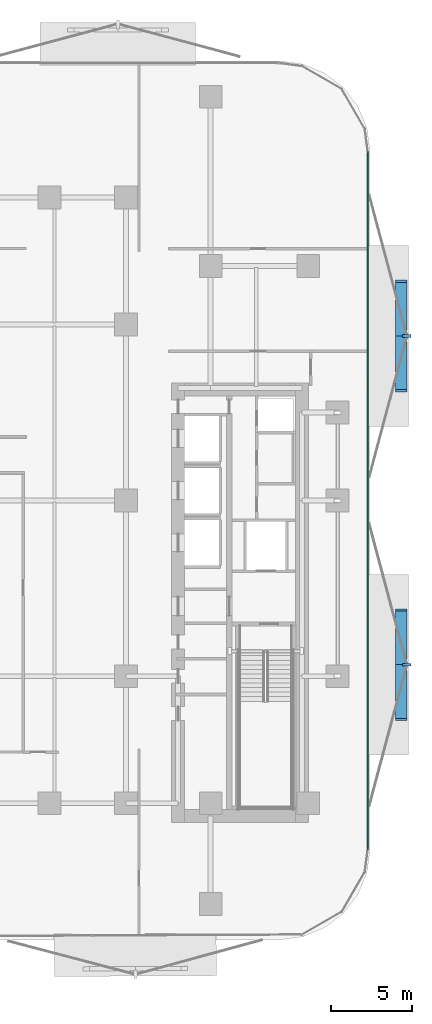
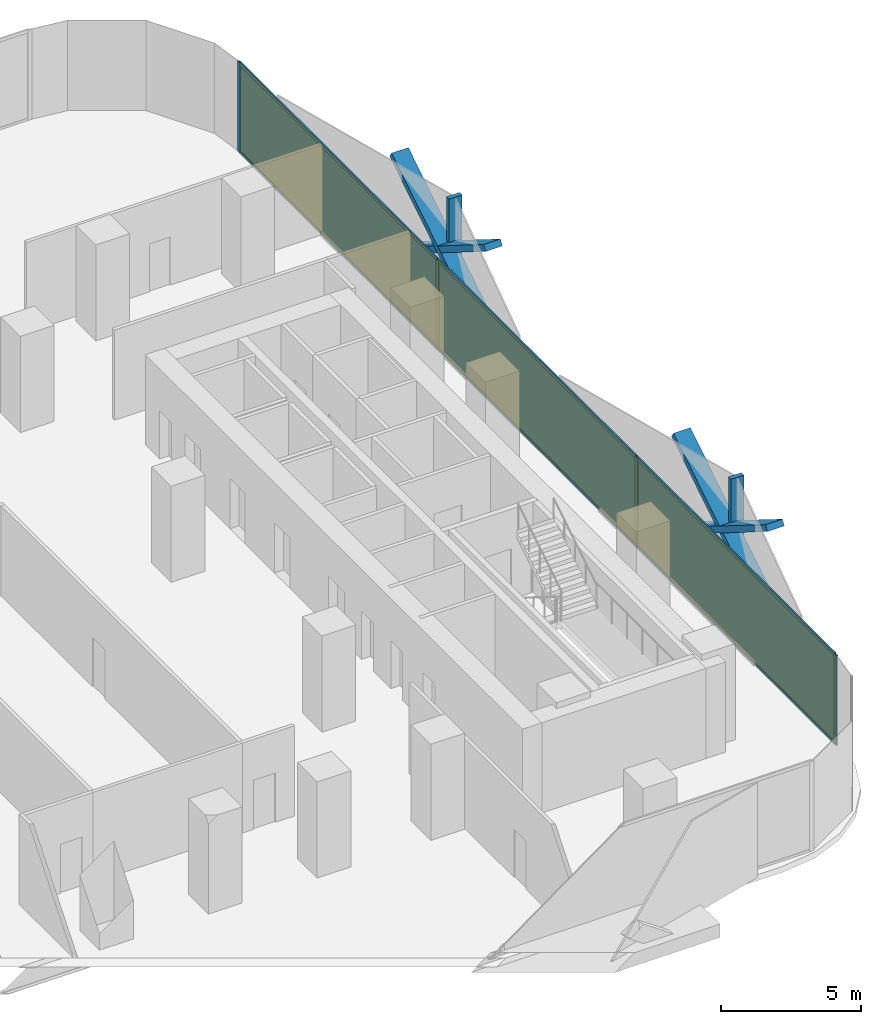
# One storey, part 10 of 16: 16 members, 3 plates, 1 curtain wall.
"""IFC4 building model written with IfcOpenShell, lengths in metres."""

from ifc_helpers import new_model, si_unit, direction, frame, frame_2d, origin, origin_2d, place, context, subcontext, project, spatial, rectangle, extrude, material, layer, layer_set, material_profile, profile_set, type_object, element, aggregate, save


model = new_model("IFC4")

# Units and contexts
model_context = context("Model", 3, precision=1e-05, world=origin(), true_north=direction((0.0, 1.0)))
body_context = subcontext(model_context, "Body", "Model", "MODEL_VIEW")
ifc_project = project(units=[si_unit("LENGTHUNIT", "METRE"), si_unit("AREAUNIT", "SQUARE_METRE"), si_unit("VOLUMEUNIT", "CUBIC_METRE"), si_unit("PLANEANGLEUNIT", "RADIAN"), si_unit("MASSUNIT", "GRAM", prefix="KILO")], contexts=[model_context])

# Member
ifc_material_1 = material(Name="Anodised Bronze Aluminium 6063-T6", Category="aluminium")
ifc_material_profile_1 = material_profile(ifc_material_1, rectangle(XDim=0.260009765625, YDim=0.699951171875, at=origin_2d()))
ifc_profile_set_1 = profile_set([ifc_material_profile_1], Name="Anodised Bronze Aluminium 6063-T6")
member_type_1 = type_object("IfcMemberType", Name="Bronze Diamond Solar-Screen Lattice Rib BDL-700", PredefinedType="MULLION", material=ifc_profile_set_1)
site_placement = place(None, origin())
building_placement = place(site_placement, origin())
storey_placement = place(building_placement, frame((0.0, 0.0, 42.800048828125)))
member_1_placement = place(storey_placement, frame((26.10009765625, 13.46044921875, -0.130126953125), z_axis=(0.0, -0.84834908091, 0.529437283273), x_axis=(0.0, -0.529437283273, -0.84834908091)))
member_1 = element("IfcMember", 1, at=member_1_placement, type_object=member_type_1, Name="L10 Bronze Diamond Solar Screen Lattice Rib 39A", PredefinedType="MULLION", context=body_context, shape_type="SweptSolid", body=[
    extrude(rectangle(XDim=0.260009765625, YDim=0.699951171875, at=origin_2d()), origin(), (0.0, 0.0, 1.0), 7.933349609375),
])

member_2_placement = place(storey_placement, frame((26.10009765625, 6.730224609375, -0.130126953125), z_axis=(0.0, 0.84834908091, 0.529437283273), x_axis=(0.0, 0.529437283273, -0.84834908091)))
member_2 = element("IfcMember", 2, at=member_2_placement, type_object=member_type_1, Name="L10 Bronze Diamond Solar Screen Lattice Rib 39B", PredefinedType="MULLION", context=body_context, shape_type="SweptSolid", body=[
    extrude(rectangle(XDim=0.260009765625, YDim=0.699951171875, at=origin_2d()), origin(), (0.0, 0.0, 1.0), 7.933349609375),
])

member_3_placement = place(storey_placement, frame((26.10009765625, -6.730224609375, -0.130126953125), z_axis=(0.0, -0.84834908091, 0.529437283273), x_axis=(0.0, -0.529437283273, -0.84834908091)))
member_3 = element("IfcMember", 3, at=member_3_placement, type_object=member_type_1, Name="L10 Bronze Diamond Solar Screen Lattice Rib 40A", PredefinedType="MULLION", context=body_context, shape_type="SweptSolid", body=[
    extrude(rectangle(XDim=0.260009765625, YDim=0.699951171875, at=origin_2d()), origin(), (0.0, 0.0, 1.0), 7.933349609375),
])

member_4_placement = place(storey_placement, frame((26.10009765625, -13.46044921875, -0.130126953125), z_axis=(0.0, 0.84834908091, 0.529437283273), x_axis=(0.0, 0.529437283273, -0.84834908091)))
member_4 = element("IfcMember", 4, at=member_4_placement, type_object=member_type_1, Name="L10 Bronze Diamond Solar Screen Lattice Rib 40B", PredefinedType="MULLION", context=body_context, shape_type="SweptSolid", body=[
    extrude(rectangle(XDim=0.260009765625, YDim=0.699951171875, at=origin_2d()), origin(), (0.0, 0.0, 1.0), 7.933349609375),
])

ifc_material_2 = material(Name="Anodised Bronze Aluminium 6063-T6", Category="aluminium")
ifc_material_profile_2 = material_profile(ifc_material_2, rectangle(XDim=0.179931640625, YDim=0.5400390625, at=origin_2d()))
ifc_profile_set_2 = profile_set([ifc_material_profile_2], Name="Anodised Bronze Aluminium 6063-T6")
member_type_2 = type_object("IfcMemberType", Name="Bronze Solar-Screen Vertical Fold Fin BSF-540", PredefinedType="MULLION", material=ifc_profile_set_2)
member_5_placement = place(storey_placement, frame((26.43994140625, 10.095458984375, -0.130126953125), z_axis=(0.0, 0.0, 1.0), x_axis=(0.0, -1.0, 0.0)))
member_5 = element("IfcMember", 5, at=member_5_placement, type_object=member_type_2, Name="L10 Bronze Solar Screen Vertical Fin 39", PredefinedType="MULLION", context=body_context, shape_type="SweptSolid", body=[
    extrude(rectangle(XDim=0.179931640625, YDim=0.5400390625, at=origin_2d()), origin(), (0.0, 0.0, 1.0), 4.2001953125),
])

member_6_placement = place(storey_placement, frame((26.43994140625, -10.095458984375, -0.130126953125), z_axis=(0.0, 0.0, 1.0), x_axis=(0.0, -1.0, 0.0)))
member_6 = element("IfcMember", 6, at=member_6_placement, type_object=member_type_2, Name="L10 Bronze Solar Screen Vertical Fin 40", PredefinedType="MULLION", context=body_context, shape_type="SweptSolid", body=[
    extrude(rectangle(XDim=0.179931640625, YDim=0.5400390625, at=origin_2d()), origin(), (0.0, 0.0, 1.0), 4.2001953125),
])

ifc_material_3 = material(Name="Anodised Bronze Aluminium 6063-T6", Category="aluminium")
ifc_material_profile_3 = material_profile(ifc_material_3, rectangle(XDim=0.06494140625, YDim=0.179931640625, at=origin_2d()))
ifc_profile_set_3 = profile_set([ifc_material_profile_3], Name="Anodised Bronze Aluminium 6063-T6")
member_type_3 = type_object("IfcMemberType", Name="CW-Z1 Mullion 65x180", PredefinedType="MULLION", material=ifc_profile_set_3)
member_7_placement = place(storey_placement, frame((24.06005859375, 21.3583984375, 0.0), z_axis=(0.0, 0.0, 1.0), x_axis=(1.0, 0.0, 0.0)))
member_7 = element("IfcMember", 7, at=member_7_placement, type_object=member_type_3, Name="CW-Z1 mullion 1", PredefinedType="MULLION", context=body_context, shape_type="SweptSolid", body=[
    extrude(rectangle(XDim=0.06494140625, YDim=0.179931640625, at=origin_2d()), origin(), (0.0, 0.0, 1.0), 3.93994140625),
])

member_8_placement = place(storey_placement, frame((24.06005859375, 7.13037109375, 0.0), z_axis=(0.0, 0.0, 1.0), x_axis=(1.0, 0.0, 0.0)))
member_8 = element("IfcMember", 8, at=member_8_placement, type_object=member_type_3, Name="CW-Z1 mullion 2", PredefinedType="MULLION", context=body_context, shape_type="SweptSolid", body=[
    extrude(rectangle(XDim=0.06494140625, YDim=0.179931640625, at=origin_2d()), origin(), (0.0, 0.0, 1.0), 3.93994140625),
])

member_9_placement = place(storey_placement, frame((24.06005859375, -7.13037109375, 0.0), z_axis=(0.0, 0.0, 1.0), x_axis=(1.0, 0.0, 0.0)))
member_9 = element("IfcMember", 9, at=member_9_placement, type_object=member_type_3, Name="CW-Z1 mullion 3", PredefinedType="MULLION", context=body_context, shape_type="SweptSolid", body=[
    extrude(rectangle(XDim=0.06494140625, YDim=0.179931640625, at=origin_2d()), origin(), (0.0, 0.0, 1.0), 3.93994140625),
])

member_10_placement = place(storey_placement, frame((24.06005859375, -21.3583984375, 0.0), z_axis=(0.0, 0.0, 1.0), x_axis=(1.0, 0.0, 0.0)))
member_10 = element("IfcMember", 10, at=member_10_placement, type_object=member_type_3, Name="CW-Z1 mullion 4", PredefinedType="MULLION", context=body_context, shape_type="SweptSolid", body=[
    extrude(rectangle(XDim=0.06494140625, YDim=0.179931640625, at=origin_2d()), origin(), (0.0, 0.0, 1.0), 3.93994140625),
])

ifc_material_4 = material(Name="Anodised Bronze Aluminium 6063-T6", Category="aluminium")
ifc_material_profile_4 = material_profile(ifc_material_4, rectangle(XDim=0.06494140625, YDim=0.139892578125, at=origin_2d()))
ifc_profile_set_4 = profile_set([ifc_material_profile_4], Name="Anodised Bronze Aluminium 6063-T6")
member_type_4 = type_object("IfcMemberType", Name="CW-Z1 Transom 65x140", PredefinedType="USERDEFINED", material=ifc_profile_set_4)
member_11_placement = place(storey_placement, frame((24.06005859375, 21.32568359375, 0.032470703125), z_axis=(0.0, -1.0, 0.0), x_axis=(1.0, 0.0, 0.0)))
member_11 = element("IfcMember", 11, at=member_11_placement, type_object=member_type_4, Name="CW-Z1 transom 1.1", ObjectType="TRANSOM", PredefinedType="USERDEFINED", context=body_context, shape_type="SweptSolid", body=[
    extrude(rectangle(XDim=0.06494140625, YDim=0.139892578125, at=origin_2d()), origin(), (0.0, 0.0, 1.0), 14.162841796875),
])

member_12_placement = place(storey_placement, frame((24.06005859375, 21.32568359375, 3.907470703125), z_axis=(0.0, -1.0, 0.0), x_axis=(1.0, 0.0, 0.0)))
member_12 = element("IfcMember", 12, at=member_12_placement, type_object=member_type_4, Name="CW-Z1 transom 1.2", ObjectType="TRANSOM", PredefinedType="USERDEFINED", context=body_context, shape_type="SweptSolid", body=[
    extrude(rectangle(XDim=0.06494140625, YDim=0.139892578125, at=origin_2d()), origin(), (0.0, 0.0, 1.0), 14.162841796875),
])

member_13_placement = place(storey_placement, frame((24.06005859375, 7.09765625, 0.032470703125), z_axis=(0.0, -1.0, 0.0), x_axis=(1.0, 0.0, 0.0)))
member_13 = element("IfcMember", 13, at=member_13_placement, type_object=member_type_4, Name="CW-Z1 transom 2.1", ObjectType="TRANSOM", PredefinedType="USERDEFINED", context=body_context, shape_type="SweptSolid", body=[
    extrude(rectangle(XDim=0.06494140625, YDim=0.139892578125, at=origin_2d()), origin(), (0.0, 0.0, 1.0), 14.1953125),
])

member_14_placement = place(storey_placement, frame((24.06005859375, 7.09765625, 3.907470703125), z_axis=(0.0, -1.0, 0.0), x_axis=(1.0, 0.0, 0.0)))
member_14 = element("IfcMember", 14, at=member_14_placement, type_object=member_type_4, Name="CW-Z1 transom 2.2", ObjectType="TRANSOM", PredefinedType="USERDEFINED", context=body_context, shape_type="SweptSolid", body=[
    extrude(rectangle(XDim=0.06494140625, YDim=0.139892578125, at=origin_2d()), origin(), (0.0, 0.0, 1.0), 14.1953125),
])

member_15_placement = place(storey_placement, frame((24.06005859375, -7.162841796875, 0.032470703125), z_axis=(0.0, -1.0, 0.0), x_axis=(1.0, 0.0, 0.0)))
member_15 = element("IfcMember", 15, at=member_15_placement, type_object=member_type_4, Name="CW-Z1 transom 3.1", ObjectType="TRANSOM", PredefinedType="USERDEFINED", context=body_context, shape_type="SweptSolid", body=[
    extrude(rectangle(XDim=0.06494140625, YDim=0.139892578125, at=origin_2d()), origin(), (0.0, 0.0, 1.0), 14.162841796875),
])

member_16_placement = place(storey_placement, frame((24.06005859375, -7.162841796875, 3.907470703125), z_axis=(0.0, -1.0, 0.0), x_axis=(1.0, 0.0, 0.0)))
member_16 = element("IfcMember", 16, at=member_16_placement, type_object=member_type_4, Name="CW-Z1 transom 3.2", ObjectType="TRANSOM", PredefinedType="USERDEFINED", context=body_context, shape_type="SweptSolid", body=[
    extrude(rectangle(XDim=0.06494140625, YDim=0.139892578125, at=origin_2d()), origin(), (0.0, 0.0, 1.0), 14.162841796875),
])

# Plate
ifc_material_5 = material(Name="Low-E Solar Control Laminated Glass", Category="glass")
ifc_layer_1 = layer(ifc_material_5, 0.028076171875, Name="Low-E Solar Control Laminated Glass")
ifc_layer_set_1 = layer_set([ifc_layer_1], Name="Low-E Solar Control Laminated Glass")
plate_type = type_object("IfcPlateType", Name="CW-Z1 Low-E Double Glazed Panel 28mm", PredefinedType="CURTAIN_PANEL", material=ifc_layer_set_1)
plate_1_placement = place(storey_placement, frame((24.06005859375, 14.244384765625, 0.06494140625), z_axis=(0.0, 0.0, 1.0), x_axis=(0.0, -1.0, 0.0)))
plate_1 = element("IfcPlate", 17, at=plate_1_placement, type_object=plate_type, Name="CW-Z1 panel 1.1", PredefinedType="CURTAIN_PANEL", context=body_context, shape_type="SweptSolid", body=[
    extrude(rectangle(XDim=14.1630859375, YDim=0.028076171875, at=origin_2d()), origin(), (0.0, 0.0, 1.0), 3.81005859375),
])

plate_2_placement = place(storey_placement, frame((24.06005859375, 0.0, 0.06494140625), z_axis=(0.0, 0.0, 1.0), x_axis=(0.0, -1.0, 0.0)))
plate_2 = element("IfcPlate", 18, at=plate_2_placement, type_object=plate_type, Name="CW-Z1 panel 2.1", PredefinedType="CURTAIN_PANEL", context=body_context, shape_type="SweptSolid", body=[
    extrude(rectangle(XDim=14.195556640625, YDim=0.028076171875, at=origin_2d()), origin(), (0.0, 0.0, 1.0), 3.81005859375),
])

plate_3_placement = place(storey_placement, frame((24.06005859375, -14.244384765625, 0.06494140625), z_axis=(0.0, 0.0, 1.0), x_axis=(0.0, -1.0, 0.0)))
plate_3 = element("IfcPlate", 19, at=plate_3_placement, type_object=plate_type, Name="CW-Z1 panel 3.1", PredefinedType="CURTAIN_PANEL", context=body_context, shape_type="SweptSolid", body=[
    extrude(rectangle(XDim=14.1630859375, YDim=0.028076171875, at=origin_2d()), origin(), (0.0, 0.0, 1.0), 3.81005859375),
])

# Site, building, storey
site = spatial("IfcSite", under=ifc_project, at=site_placement, CompositionType="ELEMENT")
building = spatial("IfcBuilding", under=site, at=building_placement, Name="Khairoan Windgate Tower", CompositionType="ELEMENT")
storey = spatial("IfcBuildingStorey", under=building, at=storey_placement, Name="L10", CompositionType="ELEMENT", Elevation=42.800048828125)

# Curtain wall
ifc_material_6 = material(Name="Anodised Bronze Aluminium 6063-T6", Category="aluminium")
ifc_layer_2 = layer(ifc_material_6, 0.179931640625, Name="Anodised Bronze Aluminium 6063-T6")
ifc_layer_set_2 = layer_set([ifc_layer_2], Name="Anodised Bronze Aluminium 6063-T6")
curtain_wall_type = type_object("IfcCurtainWallType", Name="Low-Rise Office Unitised Curtain Wall CW-Z1", PredefinedType="NOTDEFINED", material=ifc_layer_set_2)
curtain_wall_placement = place(storey_placement, frame((24.06005859375, 21.390869140625, 0.0), z_axis=(0.0, 0.0, 1.0), x_axis=(0.0, -1.0, 0.0)))
curtain_wall = element("IfcCurtainWall", 20, at=curtain_wall_placement, inside=storey, type_object=curtain_wall_type, Name="L10 Unitised Curtain Wall 16", PredefinedType="NOTDEFINED", context=body_context, shape_type="SweptSolid", body=[
    extrude(rectangle(XDim=42.78173828125, YDim=0.010009765625, at=frame_2d((21.390869140625, 0.0))), origin(), (0.0, 0.0, 1.0), 3.93994140625),
])

aggregate(curtain_wall, [member_7, member_8, member_9, member_10, member_11, member_12, plate_1, member_13, member_14, plate_2, member_15, member_16, plate_3, member_1, member_2, member_5, member_3, member_4, member_6])

save(model, "model.ifc")
